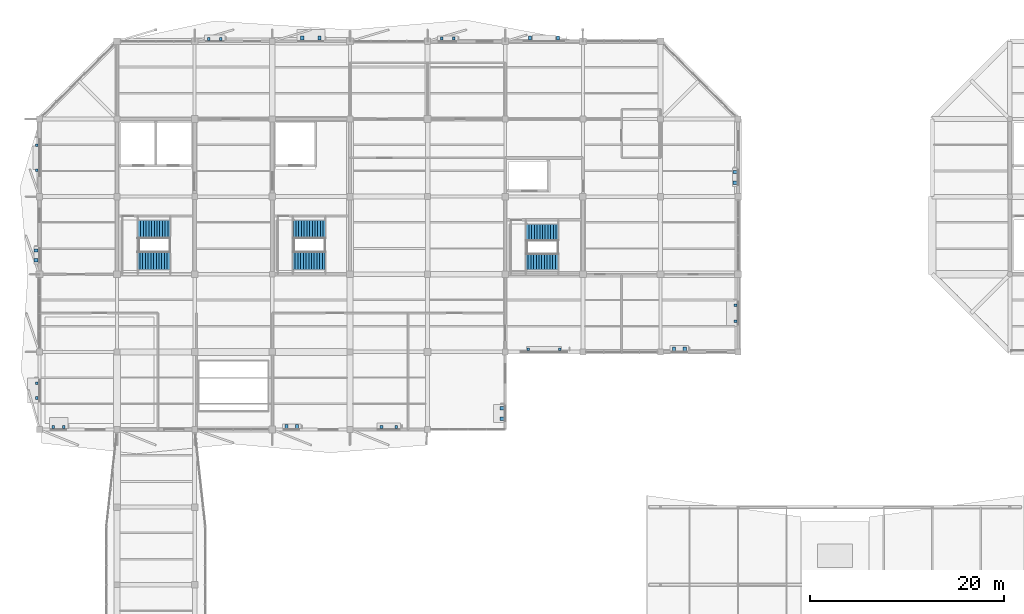
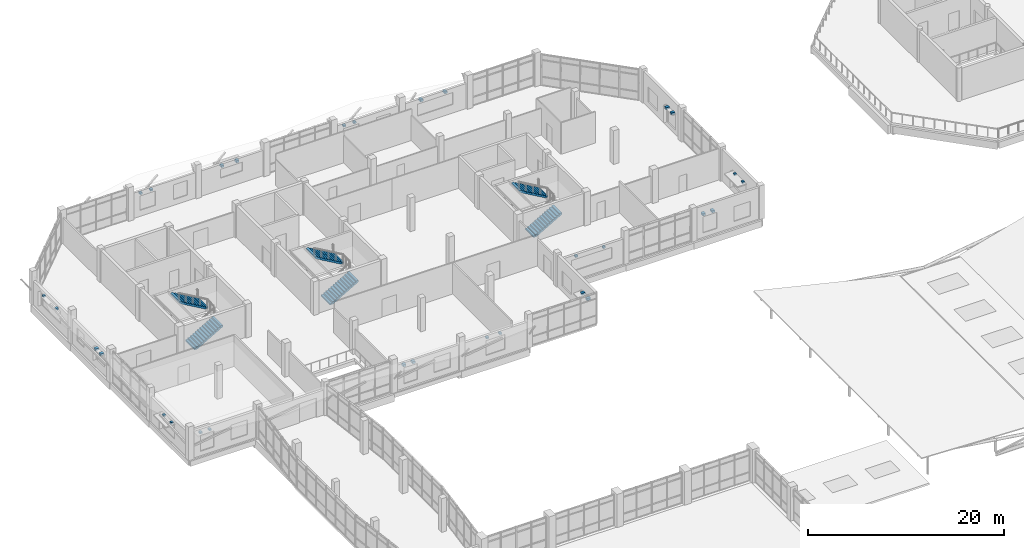
# One storey, part 78 of 84: 30 discrete accessories, 6 stair flights, 3 elements without a shape of their own.
"""IFC4 building model written with IfcOpenShell, lengths in metres."""

from ifc_helpers import new_model, si_unit, direction, frame, origin, origin_2d, place, context, subcontext, project, spatial, polyline, rectangle, outline, extrude, material, type_object, element, aggregate, save


model = new_model("IFC4")

# Units and contexts
model_context = context("Model", 3, precision=1e-05, world=origin(), true_north=direction((0.0, 1.0)))
body_context = subcontext(model_context, "Body", "Model", "MODEL_VIEW")
ifc_project = project(units=[si_unit("LENGTHUNIT", "METRE"), si_unit("AREAUNIT", "SQUARE_METRE"), si_unit("VOLUMEUNIT", "CUBIC_METRE"), si_unit("PLANEANGLEUNIT", "RADIAN"), si_unit("MASSUNIT", "GRAM", prefix="KILO")], contexts=[model_context])

# Site, building, storey
site_placement = place(None, origin())
site = spatial("IfcSite", under=ifc_project, at=site_placement, CompositionType="ELEMENT")
building_placement = place(site_placement, origin())
building = spatial("IfcBuilding", under=site, at=building_placement, Name="Tenunan Teduh Sports Hall", CompositionType="ELEMENT")
storey_placement = place(building_placement, frame((0.0, 0.0, 10.800048828125)))
storey = spatial("IfcBuildingStorey", under=building, at=storey_placement, Name="L02", CompositionType="ELEMENT", Elevation=10.800048828125)

# Stair, stair flights
ifc_material_1 = material(Name="Precast concrete C40/50", Category="concrete")
stair_type_1 = type_object("IfcStairType", Name="STR-CORE-54", PredefinedType="HALF_TURN_STAIR", material=ifc_material_1)
stair_1_placement = place(storey_placement, origin())
stair_1 = element("IfcStair", 1, at=stair_1_placement, inside=storey, type_object=stair_type_1, Name="STR-W1-L02", PredefinedType="HALF_TURN_STAIR")
ifc_material_2 = material(Name="Precast concrete C40/50", Category="concrete")
stair_flight_type_1 = type_object("IfcStairFlightType", Name="SFL-ST-T01", PredefinedType="STRAIGHT", material=ifc_material_2)
stair_flight_1_placement = place(storey_placement, frame((16.080078125, 95.409912109375, 0.0), z_axis=(0.0, 0.0, 1.0), x_axis=(1.0, 0.0, 0.0)))
stair_flight_1 = element("IfcStairFlight", 2, at=stair_flight_1_placement, type_object=stair_flight_type_1, Name="ST-04 flight 1", NumberOfRisers=13, NumberOfTreads=12, PredefinedType="STRAIGHT", RiserHeight=0.16154, TreadLength=0.28, context=body_context, shape_type="SweptSolid", body=[
    extrude(outline(polyline([(0.0, 0.0), (0.0, 0.16162109375), (0.280029296875, 0.16162109375), (0.280029296875, 0.322998046875), (0.56005859375, 0.322998046875), (0.56005859375, 0.484619140625), (0.840087890625, 0.484619140625), (0.840087890625, 0.646240234375), (1.1201171875, 0.646240234375), (1.1201171875, 0.8076171875), (1.39990234375, 0.8076171875), (1.39990234375, 0.96923828125), (1.679931640625, 0.96923828125), (1.679931640625, 1.130859375), (1.9599609375, 1.130859375), (1.9599609375, 1.292236328125), (2.239990234375, 1.292236328125), (2.239990234375, 1.453857421875), (2.52001953125, 1.453857421875), (2.52001953125, 1.615478515625), (2.800048828125, 1.615478515625), (2.800048828125, 1.77685546875), (3.080078125, 1.77685546875), (3.080078125, 1.9384765625), (3.360107421875, 1.9384765625), (3.360107421875, 2.10009765625), (3.360107421875, 1.730712890625), (0.360107421875, 0.0), (0.0, 0.0)])), frame((0.0, 0.93017578125, 0.0), z_axis=(0.0, -1.0, 0.0), x_axis=(1.0, 0.0, 0.0)), (0.0, 0.0, 1.0), 1.860107421875),
])
stair_flight_2_placement = place(storey_placement, frame((19.52001953125, 98.590087890625, 2.099853515625), z_axis=(0.0, 0.0, 1.0), x_axis=(-1.0, 0.0, 0.0)))
stair_flight_2 = element("IfcStairFlight", 3, at=stair_flight_2_placement, type_object=stair_flight_type_1, Name="ST-04 flight 2", NumberOfRisers=13, NumberOfTreads=12, PredefinedType="STRAIGHT", RiserHeight=0.16154, TreadLength=0.28, context=body_context, shape_type="SweptSolid", body=[
    extrude(outline(polyline([(0.0, 0.0), (0.0, 0.16162109375), (0.280029296875, 0.16162109375), (0.280029296875, 0.322998046875), (0.56005859375, 0.322998046875), (0.56005859375, 0.484619140625), (0.840087890625, 0.484619140625), (0.840087890625, 0.646240234375), (1.1201171875, 0.646240234375), (1.1201171875, 0.8076171875), (1.39990234375, 0.8076171875), (1.39990234375, 0.96923828125), (1.679931640625, 0.96923828125), (1.679931640625, 1.130859375), (1.9599609375, 1.130859375), (1.9599609375, 1.292236328125), (2.239990234375, 1.292236328125), (2.239990234375, 1.453857421875), (2.52001953125, 1.453857421875), (2.52001953125, 1.615478515625), (2.800048828125, 1.615478515625), (2.800048828125, 1.77685546875), (3.080078125, 1.77685546875), (3.080078125, 1.9384765625), (3.360107421875, 1.9384765625), (3.360107421875, 2.10009765625), (3.360107421875, 1.730712890625), (0.360107421875, 0.0), (0.0, 0.0)])), frame((0.0, 0.93017578125, 0.0), z_axis=(0.0, -1.0, 0.0), x_axis=(1.0, 0.0, 0.0)), (0.0, 0.0, 1.0), 1.860107421875),
])
aggregate(stair_1, [stair_flight_1, stair_flight_2])

stair_2_placement = place(storey_placement, origin())
stair_2 = element("IfcStair", 4, at=stair_2_placement, inside=storey, type_object=stair_type_1, Name="STR-W2-L02", PredefinedType="HALF_TURN_STAIR")
stair_flight_3_placement = place(storey_placement, frame((32.080078125, 95.409912109375, 0.0), z_axis=(0.0, 0.0, 1.0), x_axis=(1.0, 0.0, 0.0)))
stair_flight_3 = element("IfcStairFlight", 5, at=stair_flight_3_placement, type_object=stair_flight_type_1, Name="ST-09 flight 1", NumberOfRisers=13, NumberOfTreads=12, PredefinedType="STRAIGHT", RiserHeight=0.16154, TreadLength=0.28, context=body_context, shape_type="SweptSolid", body=[
    extrude(outline(polyline([(0.0, 0.0), (0.0, 0.16162109375), (0.280029296875, 0.16162109375), (0.280029296875, 0.322998046875), (0.56005859375, 0.322998046875), (0.56005859375, 0.484619140625), (0.840087890625, 0.484619140625), (0.840087890625, 0.646240234375), (1.1201171875, 0.646240234375), (1.1201171875, 0.8076171875), (1.39990234375, 0.8076171875), (1.39990234375, 0.96923828125), (1.679931640625, 0.96923828125), (1.679931640625, 1.130859375), (1.9599609375, 1.130859375), (1.9599609375, 1.292236328125), (2.239990234375, 1.292236328125), (2.239990234375, 1.453857421875), (2.52001953125, 1.453857421875), (2.52001953125, 1.615478515625), (2.800048828125, 1.615478515625), (2.800048828125, 1.77685546875), (3.080078125, 1.77685546875), (3.080078125, 1.9384765625), (3.360107421875, 1.9384765625), (3.360107421875, 2.10009765625), (3.360107421875, 1.730712890625), (0.360107421875, 0.0), (0.0, 0.0)])), frame((0.0, 0.93017578125, 0.0), z_axis=(0.0, -1.0, 0.0), x_axis=(1.0, 0.0, 0.0)), (0.0, 0.0, 1.0), 1.860107421875),
])
stair_flight_4_placement = place(storey_placement, frame((35.52001953125, 98.590087890625, 2.099853515625), z_axis=(0.0, 0.0, 1.0), x_axis=(-1.0, 0.0, 0.0)))
stair_flight_4 = element("IfcStairFlight", 6, at=stair_flight_4_placement, type_object=stair_flight_type_1, Name="ST-09 flight 2", NumberOfRisers=13, NumberOfTreads=12, PredefinedType="STRAIGHT", RiserHeight=0.16154, TreadLength=0.28, context=body_context, shape_type="SweptSolid", body=[
    extrude(outline(polyline([(0.0, 0.0), (0.0, 0.16162109375), (0.280029296875, 0.16162109375), (0.280029296875, 0.322998046875), (0.56005859375, 0.322998046875), (0.56005859375, 0.484619140625), (0.840087890625, 0.484619140625), (0.840087890625, 0.646240234375), (1.1201171875, 0.646240234375), (1.1201171875, 0.8076171875), (1.39990234375, 0.8076171875), (1.39990234375, 0.96923828125), (1.679931640625, 0.96923828125), (1.679931640625, 1.130859375), (1.9599609375, 1.130859375), (1.9599609375, 1.292236328125), (2.239990234375, 1.292236328125), (2.239990234375, 1.453857421875), (2.52001953125, 1.453857421875), (2.52001953125, 1.615478515625), (2.800048828125, 1.615478515625), (2.800048828125, 1.77685546875), (3.080078125, 1.77685546875), (3.080078125, 1.9384765625), (3.360107421875, 1.9384765625), (3.360107421875, 2.10009765625), (3.360107421875, 1.730712890625), (0.360107421875, 0.0), (0.0, 0.0)])), frame((0.0, 0.93017578125, 0.0), z_axis=(0.0, -1.0, 0.0), x_axis=(1.0, 0.0, 0.0)), (0.0, 0.0, 1.0), 1.860107421875),
])
aggregate(stair_2, [stair_flight_3, stair_flight_4])

ifc_material_3 = material(Name="Precast concrete C40/50", Category="concrete")
stair_type_2 = type_object("IfcStairType", Name="STR-CORE-42", PredefinedType="HALF_TURN_STAIR", material=ifc_material_3)
stair_3_placement = place(storey_placement, origin())
stair_3 = element("IfcStair", 7, at=stair_3_placement, inside=storey, type_object=stair_type_2, Name="STR-W3-L02", PredefinedType="HALF_TURN_STAIR")
ifc_material_4 = material(Name="Precast concrete C40/50", Category="concrete")
stair_flight_type_2 = type_object("IfcStairFlightType", Name="SFL-ST-T02", PredefinedType="STRAIGHT", material=ifc_material_4)
stair_flight_5_placement = place(storey_placement, frame((56.080078125, 95.320068359375, 0.0), z_axis=(0.0, 0.0, 1.0), x_axis=(1.0, 0.0, 0.0)))
stair_flight_5 = element("IfcStairFlight", 8, at=stair_flight_5_placement, type_object=stair_flight_type_2, Name="ST-14 flight 1", NumberOfRisers=13, NumberOfTreads=12, PredefinedType="STRAIGHT", RiserHeight=0.16154, TreadLength=0.28, context=body_context, shape_type="SweptSolid", body=[
    extrude(outline(polyline([(0.0, 0.0), (0.0, 0.16162109375), (0.280029296875, 0.16162109375), (0.280029296875, 0.322998046875), (0.56005859375, 0.322998046875), (0.56005859375, 0.484619140625), (0.840087890625, 0.484619140625), (0.840087890625, 0.646240234375), (1.1201171875, 0.646240234375), (1.1201171875, 0.8076171875), (1.39990234375, 0.8076171875), (1.39990234375, 0.96923828125), (1.679931640625, 0.96923828125), (1.679931640625, 1.130859375), (1.9599609375, 1.130859375), (1.9599609375, 1.292236328125), (2.239990234375, 1.292236328125), (2.239990234375, 1.453857421875), (2.52001953125, 1.453857421875), (2.52001953125, 1.615478515625), (2.800048828125, 1.615478515625), (2.800048828125, 1.77685546875), (3.080078125, 1.77685546875), (3.080078125, 1.9384765625), (3.360107421875, 1.9384765625), (3.360107421875, 2.10009765625), (3.360107421875, 1.730712890625), (0.360107421875, 0.0), (0.0, 0.0)])), frame((0.0, 0.83984375, 0.0), z_axis=(0.0, -1.0, 0.0), x_axis=(1.0, 0.0, 0.0)), (0.0, 0.0, 1.0), 1.679931640625),
])
stair_flight_6_placement = place(storey_placement, frame((59.52001953125, 98.280029296875, 2.099853515625), z_axis=(0.0, 0.0, 1.0), x_axis=(-1.0, 0.0, 0.0)))
stair_flight_6 = element("IfcStairFlight", 9, at=stair_flight_6_placement, type_object=stair_flight_type_2, Name="ST-14 flight 2", NumberOfRisers=13, NumberOfTreads=12, PredefinedType="STRAIGHT", RiserHeight=0.16154, TreadLength=0.28, context=body_context, shape_type="SweptSolid", body=[
    extrude(outline(polyline([(0.0, 0.0), (0.0, 0.16162109375), (0.280029296875, 0.16162109375), (0.280029296875, 0.322998046875), (0.56005859375, 0.322998046875), (0.56005859375, 0.484619140625), (0.840087890625, 0.484619140625), (0.840087890625, 0.646240234375), (1.1201171875, 0.646240234375), (1.1201171875, 0.8076171875), (1.39990234375, 0.8076171875), (1.39990234375, 0.96923828125), (1.679931640625, 0.96923828125), (1.679931640625, 1.130859375), (1.9599609375, 1.130859375), (1.9599609375, 1.292236328125), (2.239990234375, 1.292236328125), (2.239990234375, 1.453857421875), (2.52001953125, 1.453857421875), (2.52001953125, 1.615478515625), (2.800048828125, 1.615478515625), (2.800048828125, 1.77685546875), (3.080078125, 1.77685546875), (3.080078125, 1.9384765625), (3.360107421875, 1.9384765625), (3.360107421875, 2.10009765625), (3.360107421875, 1.730712890625), (0.360107421875, 0.0), (0.0, 0.0)])), frame((0.0, 0.83984375, 0.0), z_axis=(0.0, -1.0, 0.0), x_axis=(1.0, 0.0, 0.0)), (0.0, 0.0, 1.0), 1.679931640625),
])
aggregate(stair_3, [stair_flight_5, stair_flight_6])

# Discrete accessories
ifc_material_5 = material(Name="Steel S355", Category="steel")
discrete_accessory_type_1 = type_object("IfcDiscreteAccessoryType", Name="BRK-SHD-1", PredefinedType="BRACKET", material=ifc_material_5)
for number, where, z_axis, x_axis, name in (
    (10, (7.430908203125, 78.27490234375, 2.5), (0.0, 0.0, 1.0), (1.0, 0.0, 0.0), "BRK-L02-038-1"),
    (11, (8.51904296875, 78.27490234375, 2.5), (0.0, 0.0, 1.0), (1.0, 0.0, 0.0), "BRK-L02-038-2"),
    (12, (41.2451171875, 78.27001953125, 2.5), (0.0, 0.0, 1.0), (1.0, 0.0, 0.0), "BRK-L02-040-1"),
    (13, (42.77490234375, 78.27001953125, 2.5), (0.0, 0.0, 1.0), (1.0, 0.0, 0.0), "BRK-L02-040-2"),
    (14, (56.367919921875, 86.27001953125, 2.5), (0.0, 0.0, 1.0), (1.0, 0.0, 0.0), "BRK-L02-042-1"),
    (15, (59.632080078125, 86.27001953125, 2.5), (0.0, 0.0, 1.0), (1.0, 0.0, 0.0), "BRK-L02-042-2"),
    (16, (77.72998046875, 89.1640625, 2.5), (0.0, 0.0, 1.0), (0.0, 1.0, 0.0), "BRK-L02-044-1"),
    (17, (77.72998046875, 90.7958984375, 2.5), (0.0, 0.0, 1.0), (0.0, 1.0, 0.0), "BRK-L02-044-2"),
    (18, (23.462890625, 118.2548828125, 2.5), (0.0, 0.0, 1.0), (1.0, 0.0, 0.0), "BRK-L02-046-1"),
    (19, (24.68701171875, 118.2548828125, 2.5), (0.0, 0.0, 1.0), (1.0, 0.0, 0.0), "BRK-L02-046-2"),
    (20, (47.462890625, 118.27490234375, 2.5), (0.0, 0.0, 1.0), (1.0, 0.0, 0.0), "BRK-L02-048-1"),
    (21, (48.68701171875, 118.27490234375, 2.5), (0.0, 0.0, 1.0), (1.0, 0.0, 0.0), "BRK-L02-048-2"),
    (22, (5.72998046875, 81.2451171875, 2.5), (0.0, 0.0, 1.0), (0.0, 1.0, 0.0), "BRK-L02-050-1"),
    (23, (5.72998046875, 82.77490234375, 2.5), (0.0, 0.0, 1.0), (0.0, 1.0, 0.0), "BRK-L02-050-2"),
    (24, (5.72998046875, 104.722900390625, 2.5), (0.0, 0.0, 1.0), (0.0, 1.0, 0.0), "BRK-L02-052-1"),
    (25, (5.72998046875, 107.306884765625, 2.5), (0.0, 0.0, 1.0), (0.0, 1.0, 0.0), "BRK-L02-052-2"),
):
    element("IfcDiscreteAccessory", number, at=place(storey_placement, frame(where, z_axis=z_axis, x_axis=x_axis)), inside=storey, type_object=discrete_accessory_type_1, Name=name, PredefinedType="BRACKET", context=body_context, shape_type="SweptSolid", body=[
        extrude(rectangle(XDim=0.280029296875, YDim=0.300048828125, at=origin_2d()), origin(), (0.0, 0.0, 1.0), 0.219970703125),
    ])
ifc_material_6 = material(Name="Steel S355", Category="steel")
discrete_accessory_type_2 = type_object("IfcDiscreteAccessoryType", Name="BRK-SHD-2", PredefinedType="BRACKET", material=ifc_material_6)
for number, where, z_axis, x_axis, name in (
    (26, (31.4560546875, 78.31494140625, 2.47998046875), (0.0, 0.0, 1.0), (1.0, 0.0, 0.0), "BRK-L02-039-1"),
    (27, (32.5439453125, 78.31494140625, 2.47998046875), (0.0, 0.0, 1.0), (1.0, 0.0, 0.0), "BRK-L02-039-2"),
    (28, (53.6650390625, 79.10595703125, 2.47998046875), (0.0, 0.0, 1.0), (0.0, 1.0, 0.0), "BRK-L02-041-1"),
    (29, (53.6650390625, 80.194091796875, 2.47998046875), (0.0, 0.0, 1.0), (0.0, 1.0, 0.0), "BRK-L02-041-2"),
    (30, (71.406005859375, 86.31494140625, 2.47998046875), (0.0, 0.0, 1.0), (1.0, 0.0, 0.0), "BRK-L02-043-1"),
    (31, (72.493896484375, 86.31494140625, 2.47998046875), (0.0, 0.0, 1.0), (1.0, 0.0, 0.0), "BRK-L02-043-2"),
    (32, (77.6650390625, 103.430908203125, 2.47998046875), (0.0, 0.0, 1.0), (0.0, 1.0, 0.0), "BRK-L02-045-1"),
    (33, (77.6650390625, 104.51904296875, 2.47998046875), (0.0, 0.0, 1.0), (0.0, 1.0, 0.0), "BRK-L02-045-2"),
    (34, (33.0859375, 118.330078125, 2.47998046875), (0.0, 0.0, 1.0), (1.0, 0.0, 0.0), "BRK-L02-047-1"),
    (35, (34.85400390625, 118.330078125, 2.47998046875), (0.0, 0.0, 1.0), (1.0, 0.0, 0.0), "BRK-L02-047-2"),
    (36, (56.572021484375, 118.330078125, 2.47998046875), (0.0, 0.0, 1.0), (1.0, 0.0, 0.0), "BRK-L02-049-1"),
    (37, (59.427978515625, 118.330078125, 2.47998046875), (0.0, 0.0, 1.0), (1.0, 0.0, 0.0), "BRK-L02-049-2"),
    (38, (5.6650390625, 95.43994140625, 2.47998046875), (0.0, 0.0, 1.0), (0.0, 1.0, 0.0), "BRK-L02-051-1"),
    (39, (5.6650390625, 96.4599609375, 2.47998046875), (0.0, 0.0, 1.0), (0.0, 1.0, 0.0), "BRK-L02-051-2"),
):
    element("IfcDiscreteAccessory", number, at=place(storey_placement, frame(where, z_axis=z_axis, x_axis=x_axis)), inside=storey, type_object=discrete_accessory_type_2, Name=name, PredefinedType="BRACKET", context=body_context, shape_type="SweptSolid", body=[
        extrude(rectangle(XDim=0.320068359375, YDim=0.419921875, at=origin_2d()), origin(), (0.0, 0.0, 1.0), 0.260009765625),
    ])

save(model, "model.ifc")
